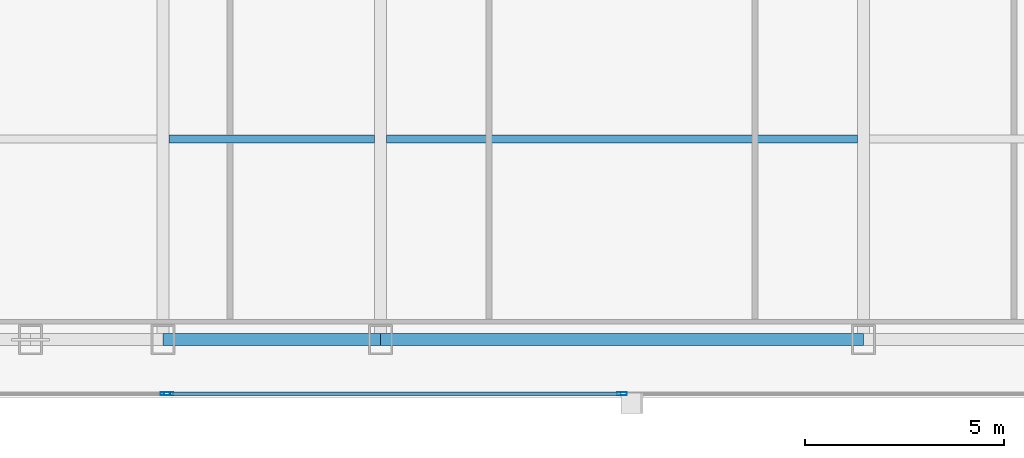
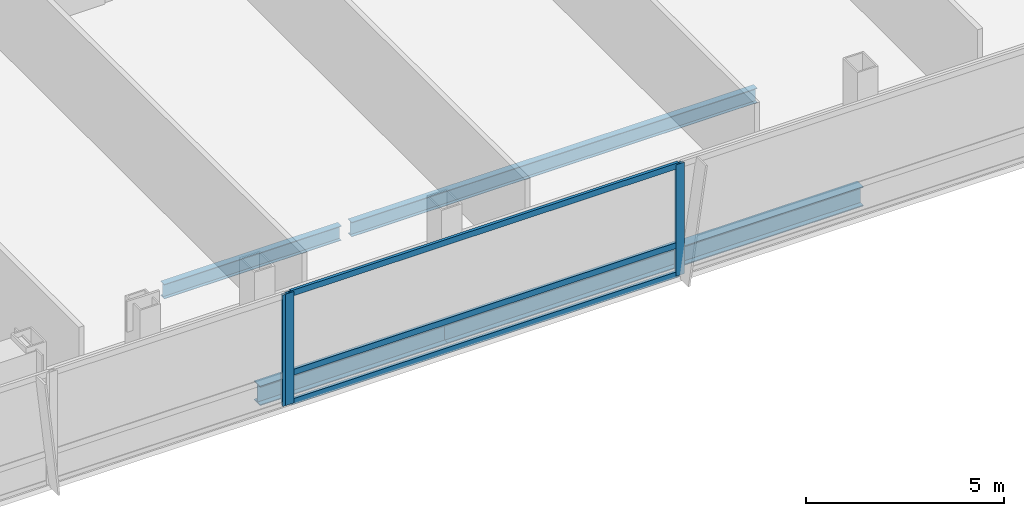
# One storey, part 7 of 26: 6 members, 4 beams, 2 elements without a shape of their own.
"""IFC4 building model written with IfcOpenShell, lengths in metres."""

from ifc_helpers import new_model, si_unit, direction, frame, origin, origin_2d, place, context, subcontext, project, spatial, hollow_rectangle, i_section, extrude, material, material_profile, profile_set, type_object, element, aggregate, save


model = new_model("IFC4")

# Units and contexts
model_context = context("Model", 3, precision=1e-05, world=origin(), true_north=direction((0.0, 1.0)))
body_context = subcontext(model_context, "Body", "Model", "MODEL_VIEW")
ifc_project = project(units=[si_unit("LENGTHUNIT", "METRE"), si_unit("AREAUNIT", "SQUARE_METRE"), si_unit("VOLUMEUNIT", "CUBIC_METRE"), si_unit("PLANEANGLEUNIT", "RADIAN"), si_unit("MASSUNIT", "GRAM", prefix="KILO")], contexts=[model_context])

# Site, building, storey
site_placement = place(None, origin())
site = spatial("IfcSite", under=ifc_project, at=site_placement, CompositionType="ELEMENT")
building_placement = place(site_placement, origin())
building = spatial("IfcBuilding", under=site, at=building_placement, Name="Khoronbel Lancet Exchange", CompositionType="ELEMENT")
storey_placement = place(building_placement, frame((0.0, 0.0, 235.39990234375)))
storey = spatial("IfcBuildingStorey", under=building, at=storey_placement, Name="L60", CompositionType="ELEMENT", Elevation=235.39990234375)

# Beams
ifc_material_1 = material(Name="Steel S355", Category="steel")
ifc_material_profile_1 = material_profile(ifc_material_1, i_section(OverallWidth=0.18994140625, OverallDepth=0.449951171875, WebThickness=0.009521484375, FlangeThickness=0.0146484375, at=origin_2d()), Name="IPE 450")
ifc_profile_set_1 = profile_set([ifc_material_profile_1], Name="Steel S355")
beam_type_1 = type_object("IfcBeamType", Name="BM-BJ4", PredefinedType="JOIST", material=ifc_profile_set_1)
beam_1_placement = place(storey_placement, frame((25.050048828125, 15.199951171875, -0.385009765625), z_axis=(1.0, 0.0, 0.0), x_axis=(0.0, 1.0, 0.0)))
element("IfcBeam", 1, at=beam_1_placement, inside=storey, type_object=beam_type_1, Name="Level L60 secondary composite joist J02", PredefinedType="JOIST", context=body_context, shape_type="SweptSolid", body=[
    extrude(i_section(OverallWidth=0.18994140625, OverallDepth=0.449951171875, WebThickness=0.009521484375, FlangeThickness=0.0146484375, at=origin_2d()), origin(), (0.0, 0.0, 1.0), 5.175048828125),
])
beam_2_placement = place(storey_placement, frame((30.52490234375, 15.199951171875, -0.385009765625), z_axis=(1.0, 0.0, 0.0), x_axis=(0.0, 1.0, 0.0)))
element("IfcBeam", 2, at=beam_2_placement, inside=storey, type_object=beam_type_1, Name="Level L60 secondary composite joist J03", PredefinedType="JOIST", context=body_context, shape_type="SweptSolid", body=[
    extrude(i_section(OverallWidth=0.18994140625, OverallDepth=0.449951171875, WebThickness=0.009521484375, FlangeThickness=0.0146484375, at=origin_2d()), origin(), (0.0, 0.0, 1.0), 11.85009765625),
])
ifc_material_profile_2 = material_profile(ifc_material_1, i_section(OverallWidth=0.300048828125, OverallDepth=0.60009765625, WebThickness=0.015380859375, FlangeThickness=0.030029296875, at=origin_2d()), Name="HEB 600")
ifc_profile_set_2 = profile_set([ifc_material_profile_2], Name="Steel S355")
beam_type_2 = type_object("IfcBeamType", Name="BM-BSP2", PredefinedType="SPANDREL", material=ifc_profile_set_2)
beam_3_placement = place(storey_placement, frame((24.89990234375, 10.14990234375, -0.4599609375), z_axis=(1.0, 0.0, 0.0), x_axis=(0.0, 1.0, 0.0)))
element("IfcBeam", 3, at=beam_3_placement, inside=storey, type_object=beam_type_2, Name="Level L60 perimeter spandrel beam SP04", PredefinedType="SPANDREL", context=body_context, shape_type="SweptSolid", body=[
    extrude(i_section(OverallWidth=0.300048828125, OverallDepth=0.60009765625, WebThickness=0.015380859375, FlangeThickness=0.030029296875, at=origin_2d()), origin(), (0.0, 0.0, 1.0), 5.47509765625),
])
beam_4_placement = place(storey_placement, frame((30.375, 10.14990234375, -0.4599609375), z_axis=(1.0, 0.0, 0.0), x_axis=(0.0, 1.0, 0.0)))
element("IfcBeam", 4, at=beam_4_placement, inside=storey, type_object=beam_type_2, Name="Level L60 perimeter spandrel beam SP05", PredefinedType="SPANDREL", context=body_context, shape_type="SweptSolid", body=[
    extrude(i_section(OverallWidth=0.300048828125, OverallDepth=0.60009765625, WebThickness=0.015380859375, FlangeThickness=0.030029296875, at=origin_2d()), origin(), (0.0, 0.0, 1.0), 12.14990234375),
])

# Curtain wall, member
ifc_material_2 = material(Name="Low-E Solar Control Insulating Glass", Category="glass")
curtain_wall_type = type_object("IfcCurtainWallType", Name="CW-3", PredefinedType="NOTDEFINED", material=ifc_material_2)
curtain_wall_1_placement = place(storey_placement, origin())
curtain_wall_1 = element("IfcCurtainWall", 5, at=curtain_wall_1_placement, inside=storey, type_object=curtain_wall_type, Name="Unitised curtain wall CW-L60-SWB", PredefinedType="NOTDEFINED")
ifc_material_3 = material(Name="Bronze-Anodised Aluminium 6063-T6", Category="aluminium")
ifc_material_profile_3 = material_profile(ifc_material_3, hollow_rectangle(XDim=0.0849609375, YDim=0.239990234375, WallThickness=0.006103515625, at=origin_2d()), Name="ALU MULLION 85x240")
ifc_profile_set_3 = profile_set([ifc_material_profile_3], Name="Bronze-Anodised Aluminium 6063-T6")
member_type_1 = type_object("IfcMemberType", Name="MEM-CWM1", PredefinedType="MULLION", material=ifc_profile_set_3)
member_1_placement = place(storey_placement, frame((24.95751953125, 8.7900390625, 0.0), z_axis=(0.0, 0.0, 1.0), x_axis=(0.0, 1.0, 0.0)))
member_1 = element("IfcMember", 6, at=member_1_placement, type_object=member_type_1, Name="CW3 mullion 2", PredefinedType="MULLION", context=body_context, shape_type="SweptSolid", body=[
    extrude(hollow_rectangle(XDim=0.0849609375, YDim=0.239990234375, WallThickness=0.006103515625, at=origin_2d()), origin(), (0.0, 0.0, 1.0), 3.440185546875),
])
aggregate(curtain_wall_1, [member_1])

# Curtain wall, members
curtain_wall_2_placement = place(storey_placement, origin())
curtain_wall_2 = element("IfcCurtainWall", 7, at=curtain_wall_2_placement, inside=storey, type_object=curtain_wall_type, Name="Unitised curtain wall CW-L60-SCV", PredefinedType="NOTDEFINED")
member_2_placement = place(storey_placement, frame((25.04248046875, 8.7900390625, 0.0), z_axis=(0.0, 0.0, 1.0), x_axis=(0.0, 1.0, 0.0)))
member_2 = element("IfcMember", 8, at=member_2_placement, type_object=member_type_1, Name="CW3 mullion 1", PredefinedType="MULLION", context=body_context, shape_type="SweptSolid", body=[
    extrude(hollow_rectangle(XDim=0.0849609375, YDim=0.239990234375, WallThickness=0.006103515625, at=origin_2d()), origin(), (0.0, 0.0, 1.0), 3.440185546875),
])
member_3_placement = place(storey_placement, frame((36.449951171875, 8.7900390625, 0.0), z_axis=(0.0, 0.0, 1.0), x_axis=(0.0, 1.0, 0.0)))
member_3 = element("IfcMember", 9, at=member_3_placement, type_object=member_type_1, Name="CW3 mullion 2", PredefinedType="MULLION", context=body_context, shape_type="SweptSolid", body=[
    extrude(hollow_rectangle(XDim=0.0849609375, YDim=0.239990234375, WallThickness=0.006103515625, at=origin_2d()), origin(), (0.0, 0.0, 1.0), 3.440185546875),
])
ifc_material_profile_4 = material_profile(ifc_material_3, hollow_rectangle(XDim=0.0849609375, YDim=0.179931640625, WallThickness=0.0048828125, at=origin_2d()), Name="ALU TRANSOM 85x180")
ifc_profile_set_4 = profile_set([ifc_material_profile_4], Name="Bronze-Anodised Aluminium 6063-T6")
member_type_2 = type_object("IfcMemberType", Name="MEM-CWT1", PredefinedType="USERDEFINED", material=ifc_profile_set_4)
member_4_placement = place(storey_placement, frame((25.0849609375, 8.7900390625, 0.04248046875), z_axis=(1.0, 0.0, 0.0), x_axis=(0.0, 1.0, 0.0)))
member_4 = element("IfcMember", 10, at=member_4_placement, type_object=member_type_2, Name="CW3 transom 1.1", ObjectType="TRANSOM", PredefinedType="USERDEFINED", context=body_context, shape_type="SweptSolid", body=[
    extrude(hollow_rectangle(XDim=0.0849609375, YDim=0.179931640625, WallThickness=0.0048828125, at=origin_2d()), origin(), (0.0, 0.0, 1.0), 11.322509765625),
])
member_5_placement = place(storey_placement, frame((25.0849609375, 8.7900390625, 0.9501953125), z_axis=(1.0, 0.0, 0.0), x_axis=(0.0, 1.0, 0.0)))
member_5 = element("IfcMember", 11, at=member_5_placement, type_object=member_type_2, Name="CW3 transom 1.2", ObjectType="TRANSOM", PredefinedType="USERDEFINED", context=body_context, shape_type="SweptSolid", body=[
    extrude(hollow_rectangle(XDim=0.0849609375, YDim=0.179931640625, WallThickness=0.0048828125, at=origin_2d()), origin(), (0.0, 0.0, 1.0), 11.322509765625),
])
member_6_placement = place(storey_placement, frame((25.0849609375, 8.7900390625, 3.397705078125), z_axis=(1.0, 0.0, 0.0), x_axis=(0.0, 1.0, 0.0)))
member_6 = element("IfcMember", 12, at=member_6_placement, type_object=member_type_2, Name="CW3 transom 1.3", ObjectType="TRANSOM", PredefinedType="USERDEFINED", context=body_context, shape_type="SweptSolid", body=[
    extrude(hollow_rectangle(XDim=0.0849609375, YDim=0.179931640625, WallThickness=0.0048828125, at=origin_2d()), origin(), (0.0, 0.0, 1.0), 11.322509765625),
])
aggregate(curtain_wall_2, [member_2, member_3, member_4, member_5, member_6])

save(model, "model.ifc")
